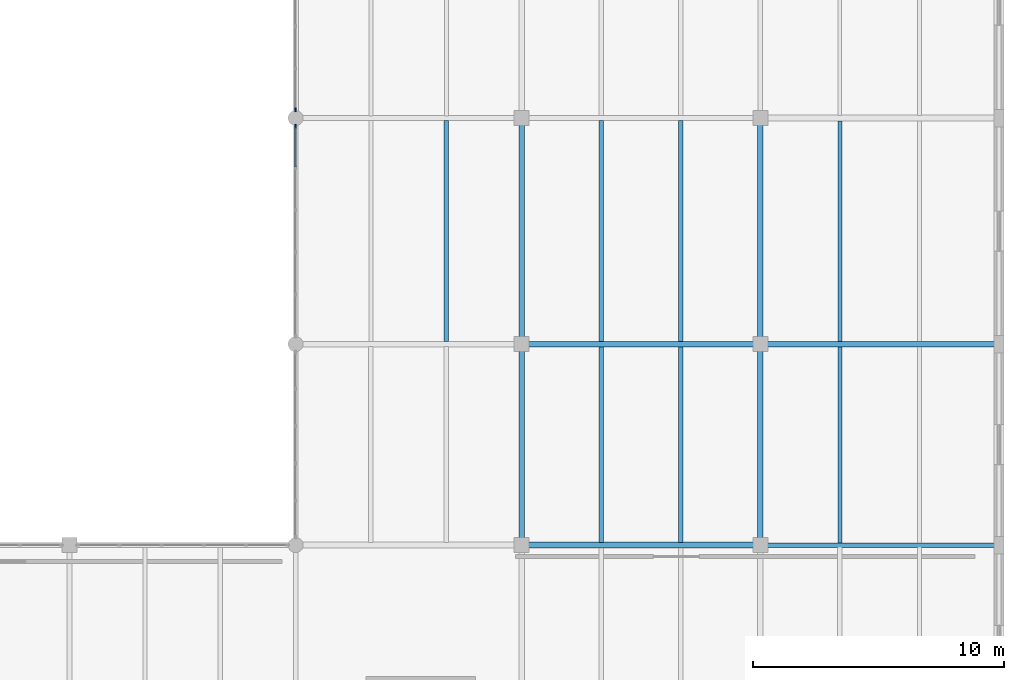
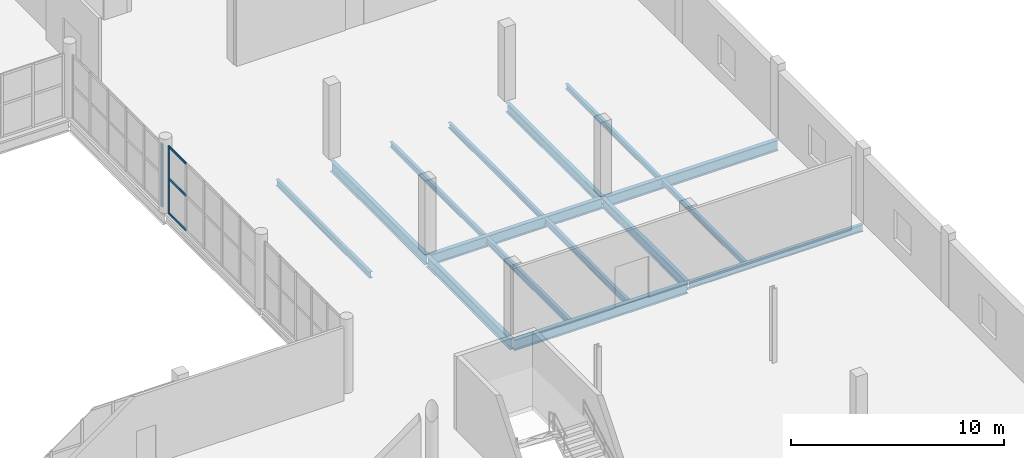
# One storey, part 42 of 73: 15 beams, 5 members, 2 elements without a shape of their own.
"""IFC4 building model written with IfcOpenShell, lengths in metres."""

from ifc_helpers import new_model, si_unit, direction, frame, origin, origin_2d, place, context, subcontext, project, spatial, rectangle, i_section, extrude, material, layer, layer_set, material_profile, profile_set, type_object, element, aggregate, save


model = new_model("IFC4")

# Units and contexts
model_context = context("Model", 3, precision=1e-05, world=origin(), true_north=direction((0.0, 1.0)))
body_context = subcontext(model_context, "Body", "Model", "MODEL_VIEW")
ifc_project = project(units=[si_unit("LENGTHUNIT", "METRE"), si_unit("AREAUNIT", "SQUARE_METRE"), si_unit("VOLUMEUNIT", "CUBIC_METRE"), si_unit("PLANEANGLEUNIT", "RADIAN"), si_unit("MASSUNIT", "GRAM", prefix="KILO")], contexts=[model_context])

# Site, building, storey
site_placement = place(None, origin())
site = spatial("IfcSite", under=ifc_project, at=site_placement, CompositionType="ELEMENT")
building_placement = place(site_placement, origin())
building = spatial("IfcBuilding", under=site, at=building_placement, Name="Marnock Terrace Opera House", CompositionType="ELEMENT")
storey_placement = place(building_placement, frame((0.0, 0.0, 14.699951171875)))
storey = spatial("IfcBuildingStorey", under=building, at=storey_placement, Name="L03", CompositionType="ELEMENT", Elevation=14.699951171875)

# Beams
ifc_material_1 = material(Name="Steel Grade 350 (AS/NZS 3679.1)", Category="steel")
ifc_material_profile_1 = material_profile(ifc_material_1, i_section(OverallWidth=0.177978515625, OverallDepth=0.402587890625, WebThickness=0.007568359375, FlangeThickness=0.010986328125, FilletRadius=0.011474609375, at=origin_2d()))
ifc_profile_set_1 = profile_set([ifc_material_profile_1], Name="Steel Grade 350 (AS/NZS 3679.1)")
beam_type_1 = type_object("IfcBeamType", Name="BM-GIRD-410", PredefinedType="BEAM", material=ifc_profile_set_1)
beam_1_placement = place(storey_placement, frame((154.550048828125, 40.0, -0.461181640625), z_axis=(1.0, 0.0, 0.0), x_axis=(0.0, 1.0, 0.0)))
element("IfcBeam", 1, at=beam_1_placement, inside=storey, type_object=beam_type_1, Name="L03 girder (154.5..164.0, Y=40.0)", PredefinedType="BEAM", context=body_context, shape_type="SweptSolid", body=[
    extrude(i_section(OverallWidth=0.177978515625, OverallDepth=0.402587890625, WebThickness=0.007568359375, FlangeThickness=0.010986328125, FilletRadius=0.011474609375, at=origin_2d()), origin(), (0.0, 0.0, 1.0), 9.39990234375),
])
ifc_material_profile_2 = material_profile(ifc_material_1, i_section(OverallWidth=0.208984375, OverallDepth=0.528076171875, WebThickness=0.009521484375, FlangeThickness=0.01318359375, FilletRadius=0.013916015625, at=origin_2d()))
ifc_profile_set_2 = profile_set([ifc_material_profile_2], Name="Steel Grade 350 (AS/NZS 3679.1)")
beam_type_2 = type_object("IfcBeamType", Name="BM-GIRD-530B", PredefinedType="BEAM", material=ifc_profile_set_2)
beam_2_placement = place(storey_placement, frame((154.5, 40.050048828125, -0.52392578125), z_axis=(0.0, 1.0, 0.0), x_axis=(-1.0, 0.0, 0.0)))
element("IfcBeam", 2, at=beam_2_placement, inside=storey, type_object=beam_type_2, Name="L03 girder (X=154.5, 40.0..48.0)", PredefinedType="BEAM", context=body_context, shape_type="SweptSolid", body=[
    extrude(i_section(OverallWidth=0.208984375, OverallDepth=0.528076171875, WebThickness=0.009521484375, FlangeThickness=0.01318359375, FilletRadius=0.013916015625, at=origin_2d()), origin(), (0.0, 0.0, 1.0), 7.89990234375),
])
beam_3_placement = place(storey_placement, frame((154.5, 48.050048828125, -0.52392578125), z_axis=(0.0, 1.0, 0.0), x_axis=(-1.0, 0.0, 0.0)))
element("IfcBeam", 3, at=beam_3_placement, inside=storey, type_object=beam_type_2, Name="L03 girder (X=154.5, 48.0..57.0)", PredefinedType="BEAM", context=body_context, shape_type="SweptSolid", body=[
    extrude(i_section(OverallWidth=0.208984375, OverallDepth=0.528076171875, WebThickness=0.009521484375, FlangeThickness=0.01318359375, FilletRadius=0.013916015625, at=origin_2d()), origin(), (0.0, 0.0, 1.0), 8.89990234375),
])
ifc_material_profile_3 = material_profile(ifc_material_1, i_section(OverallWidth=0.22900390625, OverallDepth=0.611572265625, WebThickness=0.011962890625, FlangeThickness=0.01953125, FilletRadius=0.013916015625, at=origin_2d()))
ifc_profile_set_3 = profile_set([ifc_material_profile_3], Name="Steel Grade 350 (AS/NZS 3679.1)")
beam_type_3 = type_object("IfcBeamType", Name="BM-GIRD-610A", PredefinedType="BEAM", material=ifc_profile_set_3)
for number, where, z_axis, x_axis, name in (
    (4, (145.050048828125, 40.0, -0.565673828125), (1.0, 0.0, 0.0), (0.0, 1.0, 0.0), "L03 girder (145.0..154.5, Y=40.0)"),
    (5, (154.550048828125, 48.0, -0.565673828125), (1.0, 0.0, 0.0), (0.0, 1.0, 0.0), "L03 girder (154.5..164.0, Y=48.0)"),
):
    element("IfcBeam", number, at=place(storey_placement, frame(where, z_axis=z_axis, x_axis=x_axis)), inside=storey, type_object=beam_type_3, Name=name, PredefinedType="BEAM", context=body_context, shape_type="SweptSolid", body=[
        extrude(i_section(OverallWidth=0.22900390625, OverallDepth=0.611572265625, WebThickness=0.011962890625, FlangeThickness=0.01953125, FilletRadius=0.013916015625, at=origin_2d()), origin(), (0.0, 0.0, 1.0), 9.39990234375),
    ])
ifc_material_profile_4 = material_profile(ifc_material_1, i_section(OverallWidth=0.22802734375, OverallDepth=0.60693359375, WebThickness=0.01123046875, FlangeThickness=0.017333984375, FilletRadius=0.013916015625, at=origin_2d()))
ifc_profile_set_4 = profile_set([ifc_material_profile_4], Name="Steel Grade 350 (AS/NZS 3679.1)")
beam_type_4 = type_object("IfcBeamType", Name="BM-GIRD-610B", PredefinedType="BEAM", material=ifc_profile_set_4)
beam_4_placement = place(storey_placement, frame((145.050048828125, 48.0, -0.5634765625), z_axis=(1.0, 0.0, 0.0), x_axis=(0.0, 1.0, 0.0)))
element("IfcBeam", 6, at=beam_4_placement, inside=storey, type_object=beam_type_4, Name="L03 girder (145.0..154.5, Y=48.0)", PredefinedType="BEAM", context=body_context, shape_type="SweptSolid", body=[
    extrude(i_section(OverallWidth=0.22802734375, OverallDepth=0.60693359375, WebThickness=0.01123046875, FlangeThickness=0.017333984375, FilletRadius=0.013916015625, at=origin_2d()), origin(), (0.0, 0.0, 1.0), 9.39990234375),
])
ifc_material_profile_5 = material_profile(ifc_material_1, i_section(OverallWidth=0.22802734375, OverallDepth=0.60205078125, WebThickness=0.010498046875, FlangeThickness=0.014892578125, FilletRadius=0.013916015625, at=origin_2d()))
ifc_profile_set_5 = profile_set([ifc_material_profile_5], Name="Steel Grade 350 (AS/NZS 3679.1)")
beam_type_5 = type_object("IfcBeamType", Name="BM-GIRD-610C", PredefinedType="BEAM", material=ifc_profile_set_5)
beam_5_placement = place(storey_placement, frame((145.0, 40.050048828125, -0.56103515625), z_axis=(0.0, 1.0, 0.0), x_axis=(-1.0, 0.0, 0.0)))
element("IfcBeam", 7, at=beam_5_placement, inside=storey, type_object=beam_type_5, Name="L03 girder (X=145.0, 40.0..48.0)", PredefinedType="BEAM", context=body_context, shape_type="SweptSolid", body=[
    extrude(i_section(OverallWidth=0.22802734375, OverallDepth=0.60205078125, WebThickness=0.010498046875, FlangeThickness=0.014892578125, FilletRadius=0.013916015625, at=origin_2d()), origin(), (0.0, 0.0, 1.0), 7.89990234375),
])
beam_6_placement = place(storey_placement, frame((145.0, 48.050048828125, -0.56103515625), z_axis=(0.0, 1.0, 0.0), x_axis=(-1.0, 0.0, 0.0)))
element("IfcBeam", 8, at=beam_6_placement, inside=storey, type_object=beam_type_5, Name="L03 girder (X=145.0, 48.0..57.0)", PredefinedType="BEAM", context=body_context, shape_type="SweptSolid", body=[
    extrude(i_section(OverallWidth=0.22802734375, OverallDepth=0.60205078125, WebThickness=0.010498046875, FlangeThickness=0.014892578125, FilletRadius=0.013916015625, at=origin_2d()), origin(), (0.0, 0.0, 1.0), 8.89990234375),
])
ifc_material_profile_6 = material_profile(ifc_material_1, i_section(OverallWidth=0.166015625, OverallDepth=0.30712890625, WebThickness=0.006591796875, FlangeThickness=0.01171875, FilletRadius=0.011474609375, at=origin_2d()))
ifc_profile_set_6 = profile_set([ifc_material_profile_6], Name="Steel Grade 350 (AS/NZS 3679.1)")
beam_type_6 = type_object("IfcBeamType", Name="BM-JOIST-310A", PredefinedType="JOIST", material=ifc_profile_set_6)
for number, where, z_axis, x_axis, name in (
    (9, (148.166748046875, 48.10888671875, -0.41357421875), (0.0, 1.0, 0.0), (-1.0, 0.0, 0.0), "L03 secondary joist 16.6.1"),
    (10, (151.333251953125, 48.10888671875, -0.41357421875), (0.0, 1.0, 0.0), (-1.0, 0.0, 0.0), "L03 secondary joist 16.6.2"),
):
    element("IfcBeam", number, at=place(storey_placement, frame(where, z_axis=z_axis, x_axis=x_axis)), inside=storey, type_object=beam_type_6, Name=name, PredefinedType="JOIST", context=body_context, shape_type="SweptSolid", body=[
        extrude(i_section(OverallWidth=0.166015625, OverallDepth=0.30712890625, WebThickness=0.006591796875, FlangeThickness=0.01171875, FilletRadius=0.011474609375, at=origin_2d()), origin(), (0.0, 0.0, 1.0), 8.79150390625),
    ])
beam_7_placement = place(storey_placement, frame((157.666748046875, 40.083984375, -0.41357421875), z_axis=(0.0, 1.0, 0.0), x_axis=(-1.0, 0.0, 0.0)))
element("IfcBeam", 11, at=beam_7_placement, inside=storey, type_object=beam_type_6, Name="L03 secondary joist 17.5.1", PredefinedType="JOIST", context=body_context, shape_type="SweptSolid", body=[
    extrude(i_section(OverallWidth=0.166015625, OverallDepth=0.30712890625, WebThickness=0.006591796875, FlangeThickness=0.01171875, FilletRadius=0.011474609375, at=origin_2d()), origin(), (0.0, 0.0, 1.0), 7.806396484375),
])
ifc_material_profile_7 = material_profile(ifc_material_1, i_section(OverallWidth=0.1650390625, OverallDepth=0.3037109375, WebThickness=0.006103515625, FlangeThickness=0.01025390625, FilletRadius=0.011474609375, at=origin_2d()))
ifc_profile_set_7 = profile_set([ifc_material_profile_7], Name="Steel Grade 350 (AS/NZS 3679.1)")
beam_type_7 = type_object("IfcBeamType", Name="BM-JOIST-310B", PredefinedType="JOIST", material=ifc_profile_set_7)
beam_8_placement = place(storey_placement, frame((157.666748046875, 48.109619140625, -0.411865234375), z_axis=(0.0, 1.0, 0.0), x_axis=(-1.0, 0.0, 0.0)))
element("IfcBeam", 12, at=beam_8_placement, inside=storey, type_object=beam_type_7, Name="L03 secondary joist 17.6.1", PredefinedType="JOIST", context=body_context, shape_type="SweptSolid", body=[
    extrude(i_section(OverallWidth=0.1650390625, OverallDepth=0.3037109375, WebThickness=0.006103515625, FlangeThickness=0.01025390625, FilletRadius=0.011474609375, at=origin_2d()), origin(), (0.0, 0.0, 1.0), 8.781494140625),
])
ifc_material_profile_8 = material_profile(ifc_material_1, i_section(OverallWidth=0.172119140625, OverallDepth=0.358642578125, WebThickness=0.008056640625, FlangeThickness=0.012939453125, FilletRadius=0.011474609375, at=origin_2d()))
ifc_profile_set_8 = profile_set([ifc_material_profile_8], Name="Steel Grade 350 (AS/NZS 3679.1)")
beam_type_8 = type_object("IfcBeamType", Name="BM-JOIST-360", PredefinedType="JOIST", material=ifc_profile_set_8)
beam_9_placement = place(storey_placement, frame((142.0, 48.099609375, -0.439208984375), z_axis=(0.0, 1.0, 0.0), x_axis=(-1.0, 0.0, 0.0)))
element("IfcBeam", 13, at=beam_9_placement, inside=storey, type_object=beam_type_8, Name="L03 secondary joist 15.6.2", PredefinedType="JOIST", context=body_context, shape_type="SweptSolid", body=[
    extrude(i_section(OverallWidth=0.172119140625, OverallDepth=0.358642578125, WebThickness=0.008056640625, FlangeThickness=0.012939453125, FilletRadius=0.011474609375, at=origin_2d()), origin(), (0.0, 0.0, 1.0), 8.809814453125),
])
for number, where, z_axis, x_axis, name in (
    (14, (148.166748046875, 40.109619140625, -0.439208984375), (0.0, 1.0, 0.0), (-1.0, 0.0, 0.0), "L03 secondary joist 16.5.1"),
    (15, (151.333251953125, 40.109619140625, -0.439208984375), (0.0, 1.0, 0.0), (-1.0, 0.0, 0.0), "L03 secondary joist 16.5.2"),
):
    element("IfcBeam", number, at=place(storey_placement, frame(where, z_axis=z_axis, x_axis=x_axis)), inside=storey, type_object=beam_type_8, Name=name, PredefinedType="JOIST", context=body_context, shape_type="SweptSolid", body=[
        extrude(i_section(OverallWidth=0.172119140625, OverallDepth=0.358642578125, WebThickness=0.008056640625, FlangeThickness=0.012939453125, FilletRadius=0.011474609375, at=origin_2d()), origin(), (0.0, 0.0, 1.0), 7.781494140625),
    ])

# Curtain wall, member
ifc_material_2 = material(Name="Anodised architectural bronze aluminium framing", Category="aluminium")
ifc_layer = layer(ifc_material_2, 0.159912109375)
ifc_layer_set = layer_set([ifc_layer], Name="Anodised architectural bronze aluminium framing")
curtain_wall_type = type_object("IfcCurtainWallType", Name="CW-LOGGIA-86x42", PredefinedType="NOTDEFINED", material=ifc_layer_set)
curtain_wall_1_placement = place(storey_placement, origin())
curtain_wall_1 = element("IfcCurtainWall", 16, at=curtain_wall_1_placement, inside=storey, type_object=curtain_wall_type, Name="L03 glazed Beaux-Arts colonnade curtain wall CW-V5-L03-CE2", PredefinedType="NOTDEFINED")
ifc_material_profile_9 = material_profile(ifc_material_2, rectangle(XDim=0.06005859375, YDim=0.14990234375, at=origin_2d()))
ifc_profile_set_9 = profile_set([ifc_material_profile_9], Name="Anodised architectural bronze aluminium framing")
member_type_1 = type_object("IfcMemberType", Name="CWM-60x150", PredefinedType="MULLION", material=ifc_profile_set_9)
member_1_placement = place(storey_placement, frame((136.0, 56.674072265625, 0.0), z_axis=(0.0, 0.0, 1.0), x_axis=(-1.0, 0.0, 0.0)))
member_1 = element("IfcMember", 17, at=member_1_placement, type_object=member_type_1, Name="CW-66 mullion 6", PredefinedType="MULLION", context=body_context, shape_type="SweptSolid", body=[
    extrude(rectangle(XDim=0.06005859375, YDim=0.14990234375, at=origin_2d()), origin(), (0.0, 0.0, 1.0), 3.864501953125),
])

curtain_wall_2_placement = place(storey_placement, origin())
curtain_wall_2 = element("IfcCurtainWall", 18, at=curtain_wall_2_placement, inside=storey, type_object=curtain_wall_type, Name="L03 glazed Beaux-Arts colonnade curtain wall CW-V5-L03-CE3", PredefinedType="NOTDEFINED")
member_2_placement = place(storey_placement, frame((136.0, 57.325927734375, 0.0), z_axis=(0.0, 0.0, 1.0), x_axis=(-1.0, 0.0, 0.0)))
member_2 = element("IfcMember", 19, at=member_2_placement, type_object=member_type_1, Name="CW-66 mullion 1", PredefinedType="MULLION", context=body_context, shape_type="SweptSolid", body=[
    extrude(rectangle(XDim=0.06005859375, YDim=0.14990234375, at=origin_2d()), origin(), (0.0, 0.0, 1.0), 3.6181640625),
])
aggregate(curtain_wall_2, [member_2])

# Member
ifc_material_profile_10 = material_profile(ifc_material_2, rectangle(XDim=0.06005859375, YDim=0.1298828125, at=origin_2d()))
ifc_profile_set_10 = profile_set([ifc_material_profile_10], Name="Anodised architectural bronze aluminium framing")
member_type_2 = type_object("IfcMemberType", Name="CWT-60x130", PredefinedType="USERDEFINED", material=ifc_profile_set_10)
member_3_placement = place(storey_placement, frame((136.0, 55.052490234375, 0.030029296875), z_axis=(0.0, 1.0, 0.0), x_axis=(-1.0, 0.0, 0.0)))
member_3 = element("IfcMember", 20, at=member_3_placement, type_object=member_type_2, Name="CW-66 transom 5.1", ObjectType="TRANSOM", PredefinedType="USERDEFINED", context=body_context, shape_type="SweptSolid", body=[
    extrude(rectangle(XDim=0.06005859375, YDim=0.1298828125, at=origin_2d()), origin(), (0.0, 0.0, 1.0), 1.591552734375),
])

member_4_placement = place(storey_placement, frame((136.0, 55.052490234375, 2.009521484375), z_axis=(0.0, 1.0, 0.0), x_axis=(-1.0, 0.0, 0.0)))
member_4 = element("IfcMember", 21, at=member_4_placement, type_object=member_type_2, Name="CW-66 transom 5.2", ObjectType="TRANSOM", PredefinedType="USERDEFINED", context=body_context, shape_type="SweptSolid", body=[
    extrude(rectangle(XDim=0.06005859375, YDim=0.1298828125, at=origin_2d()), origin(), (0.0, 0.0, 1.0), 1.591552734375),
])

member_5_placement = place(storey_placement, frame((136.0, 55.052490234375, 3.83447265625), z_axis=(0.0, 1.0, 0.0), x_axis=(-1.0, 0.0, 0.0)))
member_5 = element("IfcMember", 22, at=member_5_placement, type_object=member_type_2, Name="CW-66 transom 5.3", ObjectType="TRANSOM", PredefinedType="USERDEFINED", context=body_context, shape_type="SweptSolid", body=[
    extrude(rectangle(XDim=0.06005859375, YDim=0.1298828125, at=origin_2d()), origin(), (0.0, 0.0, 1.0), 1.591552734375),
])

aggregate(curtain_wall_1, [member_1, member_3, member_4, member_5])

save(model, "model.ifc")
